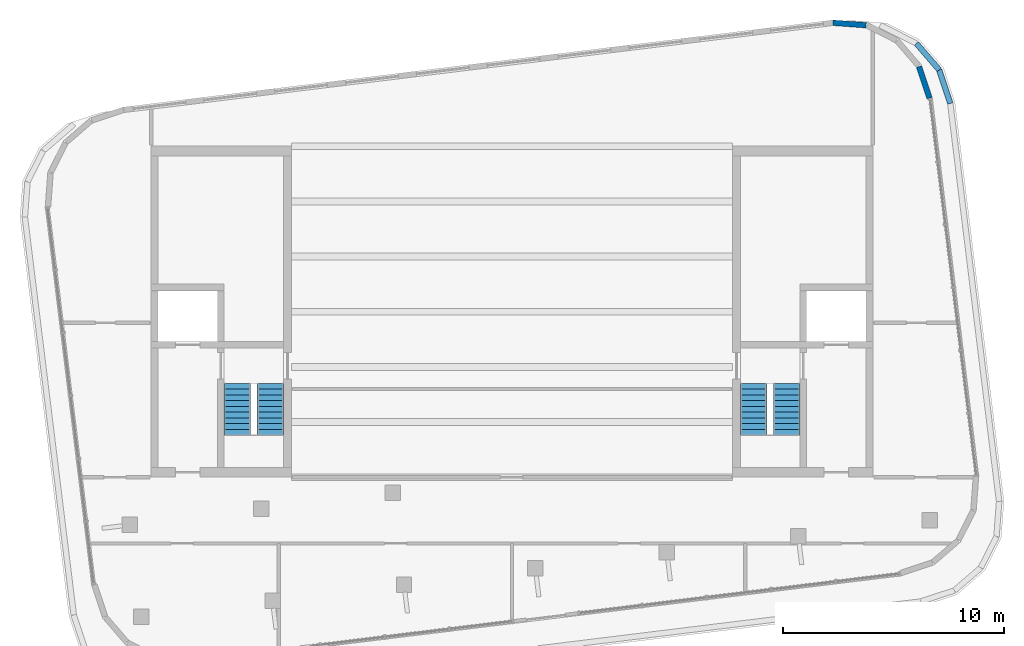
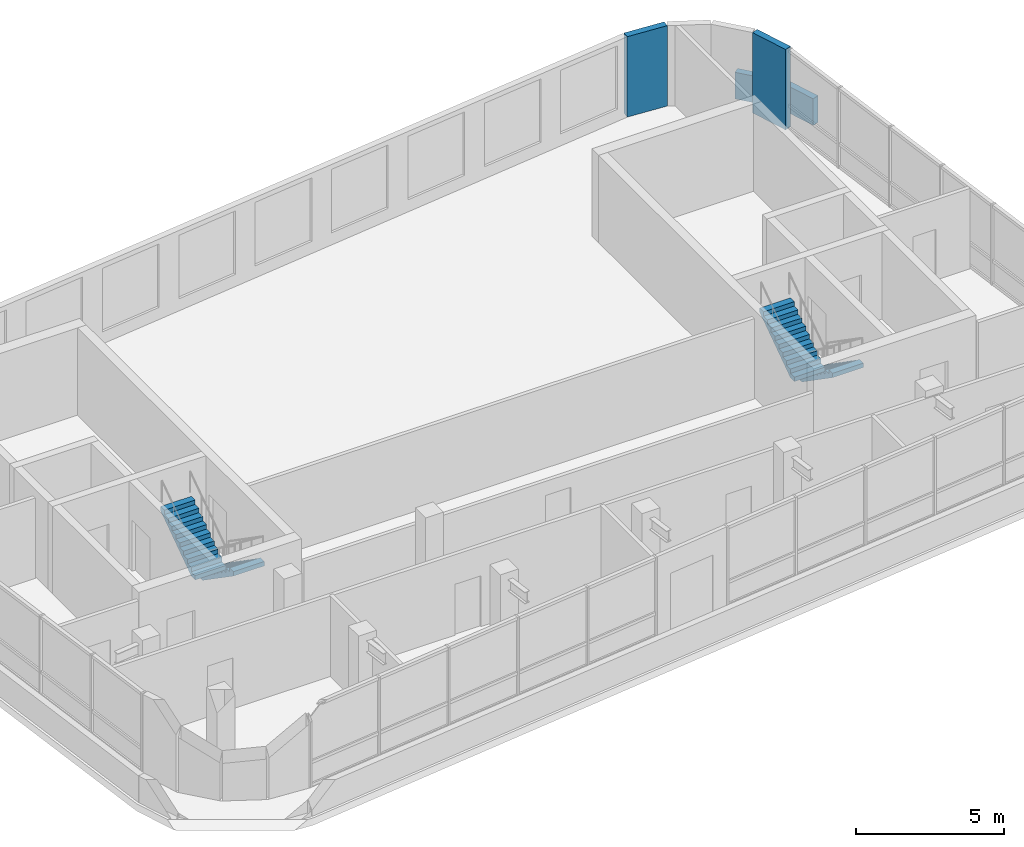
# One storey, part 7 of 8: 4 stair flights, 4 walls, 2 elements without a shape of their own.
"""IFC4 building model written with IfcOpenShell, lengths in metres."""

from ifc_helpers import new_model, si_unit, direction, frame, frame_2d, origin, place, context, subcontext, project, spatial, polyline, rectangle, outline, extrude, material, layer, layer_set, type_object, element, aggregate, save


model = new_model("IFC4")

# Units and contexts
model_context = context("Model", 3, precision=1e-05, world=origin(), true_north=direction((0.0, 1.0)))
body_context = subcontext(model_context, "Body", "Model", "MODEL_VIEW")
ifc_project = project(units=[si_unit("LENGTHUNIT", "METRE"), si_unit("AREAUNIT", "SQUARE_METRE"), si_unit("VOLUMEUNIT", "CUBIC_METRE"), si_unit("PLANEANGLEUNIT", "RADIAN"), si_unit("MASSUNIT", "GRAM", prefix="KILO")], contexts=[model_context])

# Site, building, storey
site_placement = place(None, origin())
site = spatial("IfcSite", under=ifc_project, at=site_placement, CompositionType="ELEMENT")
building_placement = place(site_placement, origin())
building = spatial("IfcBuilding", under=site, at=building_placement, Name="Torana Hotel and Residences", CompositionType="ELEMENT")
storey_placement = place(building_placement, frame((0.0, 0.0, 350.199951171875)))
storey = spatial("IfcBuildingStorey", under=building, at=storey_placement, Name="C2", CompositionType="ELEMENT", Elevation=350.199951171875)

# Walls
ifc_material_1 = material(Name="Aluminium louvre wall", Category="aluminium")
ifc_layer_1 = layer(ifc_material_1, 0.25)
ifc_layer_set_1 = layer_set([ifc_layer_1], Name="EW3 LOUVRE WALL 250")
wall_type_1 = type_object("IfcWallType", Name="EW3 LOUVRE WALL 250", PredefinedType="SOLIDWALL", material=ifc_layer_set_1)
wall_1_placement = place(storey_placement, frame((18.919677734375, 2.177490234375, 0.0), z_axis=(0.0, 0.0, 1.0), x_axis=(-0.313162570297, 0.949699533834, 0.0)))
element("IfcWall", 1, at=wall_1_placement, inside=storey, type_object=wall_type_1, Name="Louvre wall C2 e0.0", PredefinedType="SOLIDWALL", context=body_context, shape_type="SweptSolid", body=[
    extrude(rectangle(XDim=1.506103515625, YDim=0.25, at=frame_2d((0.7529296875, 0.0))), origin(), (0.0, 0.0, 1.0), 3.320068359375),
])
wall_2_placement = place(storey_placement, frame((16.0498046875, 5.481689453125, 0.0), z_axis=(0.0, 0.0, 1.0), x_axis=(-0.997251362315, 0.074092647143, 0.0)))
element("IfcWall", 2, at=wall_2_placement, inside=storey, type_object=wall_type_1, Name="Louvre wall C2 e0.3", PredefinedType="SOLIDWALL", context=body_context, shape_type="SweptSolid", body=[
    extrude(rectangle(XDim=1.505859375, YDim=0.25, at=frame_2d((0.7529296875, 0.0))), origin(), (0.0, 0.0, 1.0), 3.320068359375),
])
ifc_material_2 = material(Name="Aluminium coping with drip", Category="aluminium")
ifc_layer_2 = layer(ifc_material_2, 0.0029296875, Name="Coping flashing", Category="flashing")
ifc_material_3 = material(Name="Concrete C40/50 precast", Category="concrete")
ifc_layer_3 = layer(ifc_material_3, 0.00390625, Name="Cladding", Category="cladding")
ifc_material_4 = material(Name="Concrete C40/50", Category="concrete")
ifc_layer_4 = layer(ifc_material_4, 0.199951171875, Name="Wall", Category="structure")
ifc_material_5 = material(Name="Mineral wool insulation")
ifc_layer_5 = layer(ifc_material_5, 0.0400390625, Name="Insulation", Category="insulation")
ifc_material_6 = material(Name="Waterproofing upstand")
ifc_layer_6 = layer(ifc_material_6, 0.0029296875, Name="Upstand membrane", Category="membrane")
ifc_layer_set_2 = layer_set([ifc_layer_2, ifc_layer_3, ifc_layer_4, ifc_layer_5, ifc_layer_6], Name="PP1 PARAPET 250")
wall_type_2 = type_object("IfcWallType", Name="PP1 PARAPET 250", PredefinedType="PARAPET", material=ifc_layer_set_2)
wall_3_placement = place(storey_placement, frame((18.329345703125, 4.654541015625, 0.0), z_axis=(0.0, 0.0, 1.0), x_axis=(0.652801907611, -0.75752865914, 0.0)))
element("IfcWall", 3, at=wall_3_placement, inside=storey, type_object=wall_type_2, Name="Roof parapet C2 2", PredefinedType="PARAPET", context=body_context, shape_type="SweptSolid", body=[
    extrude(rectangle(XDim=1.578125, YDim=0.25, at=frame_2d((0.7890625, 0.0))), origin(), (0.0, 0.0, 1.0), 1.10009765625),
])
wall_4_placement = place(storey_placement, frame((19.359619140625, 3.458984375, 0.0), z_axis=(0.0, 0.0, 1.0), x_axis=(0.313067872961, -0.949730754962, 0.0)))
element("IfcWall", 4, at=wall_4_placement, inside=storey, type_object=wall_type_2, Name="Roof parapet C2 3", PredefinedType="PARAPET", context=body_context, shape_type="SweptSolid", body=[
    extrude(rectangle(XDim=1.60009765625, YDim=0.25, at=frame_2d((0.800048828125, 0.0))), origin(), (0.0, 0.0, 1.0), 1.10009765625),
])

# Stair, stair flights
ifc_material_7 = material(Name="Concrete C40/50 precast", Category="concrete")
stair_type_1 = type_object("IfcStairType", Name="STAIR ST1 HALF TURN 1200", PredefinedType="HALF_TURN_STAIR", material=ifc_material_7)
stair_1_placement = place(storey_placement, origin())
stair_1 = element("IfcStair", 5, at=stair_1_placement, inside=storey, type_object=stair_type_1, Name="Stair ST1 C2", PredefinedType="HALF_TURN_STAIR")
ifc_material_8 = material(Name="Concrete C40/50 precast", Category="concrete")
stair_flight_type = type_object("IfcStairFlightType", Name="STAIR FLIGHT 1200 PRECAST", PredefinedType="STRAIGHT", material=ifc_material_8)
stair_flight_1_placement = place(storey_placement, frame((-10.949951171875, -10.75, 0.0), z_axis=(0.0, 0.0, 1.0), x_axis=(0.0, -1.0, 0.0)))
stair_flight_1 = element("IfcStairFlight", 6, at=stair_flight_1_placement, type_object=stair_flight_type, Name="ST1 flight 1", NumberOfRisers=10, NumberOfTreads=9, PredefinedType="STRAIGHT", RiserHeight=0.18, TreadLength=0.26, context=body_context, shape_type="SweptSolid", body=[
    extrude(outline(polyline([(0.0, 0.0), (0.0, 0.179931640625), (0.260009765625, 0.179931640625), (0.260009765625, 0.360107421875), (0.52001953125, 0.360107421875), (0.52001953125, 0.5400390625), (0.780029296875, 0.5400390625), (0.780029296875, 0.719970703125), (1.0400390625, 0.719970703125), (1.0400390625, 0.89990234375), (1.300048828125, 0.89990234375), (1.300048828125, 1.080078125), (1.56005859375, 1.080078125), (1.56005859375, 1.260009765625), (1.820068359375, 1.260009765625), (1.820068359375, 1.43994140625), (2.080078125, 1.43994140625), (2.080078125, 1.6201171875), (2.340087890625, 1.6201171875), (2.340087890625, 1.800048828125), (2.340087890625, 1.437744140625), (0.263427734375, 0.0), (0.0, 0.0)])), frame((0.0, 0.60009765625, 0.0), z_axis=(0.0, -1.0, 0.0), x_axis=(1.0, 0.0, 0.0)), (0.0, 0.0, 1.0), 1.199951171875),
])
stair_flight_2_placement = place(storey_placement, frame((-12.449951171875, -13.090087890625, 1.800048828125), z_axis=(0.0, 0.0, 1.0), x_axis=(0.0, 1.0, 0.0)))
stair_flight_2 = element("IfcStairFlight", 7, at=stair_flight_2_placement, type_object=stair_flight_type, Name="ST1 flight 2", NumberOfRisers=10, NumberOfTreads=9, PredefinedType="STRAIGHT", RiserHeight=0.18, TreadLength=0.26, context=body_context, shape_type="SweptSolid", body=[
    extrude(outline(polyline([(0.0, 0.0), (0.0, 0.179931640625), (0.260009765625, 0.179931640625), (0.260009765625, 0.360107421875), (0.52001953125, 0.360107421875), (0.52001953125, 0.5400390625), (0.780029296875, 0.5400390625), (0.780029296875, 0.719970703125), (1.0400390625, 0.719970703125), (1.0400390625, 0.89990234375), (1.300048828125, 0.89990234375), (1.300048828125, 1.080078125), (1.56005859375, 1.080078125), (1.56005859375, 1.260009765625), (1.820068359375, 1.260009765625), (1.820068359375, 1.43994140625), (2.080078125, 1.43994140625), (2.080078125, 1.6201171875), (2.340087890625, 1.6201171875), (2.340087890625, 1.800048828125), (2.340087890625, 1.437744140625), (0.263427734375, 0.0), (0.0, 0.0)])), frame((0.0, 0.60009765625, 0.0), z_axis=(0.0, -1.0, 0.0), x_axis=(1.0, 0.0, 0.0)), (0.0, 0.0, 1.0), 1.199951171875),
])
aggregate(stair_1, [stair_flight_1, stair_flight_2])

ifc_material_9 = material(Name="Concrete C40/50 precast", Category="concrete")
stair_type_2 = type_object("IfcStairType", Name="STAIR ST3 HALF TURN 1200", PredefinedType="HALF_TURN_STAIR", material=ifc_material_9)
stair_2_placement = place(storey_placement, origin())
stair_2 = element("IfcStair", 8, at=stair_2_placement, inside=storey, type_object=stair_type_2, Name="Stair ST3 C2", PredefinedType="HALF_TURN_STAIR")
stair_flight_3_placement = place(storey_placement, frame((12.449951171875, -10.75, 0.0), z_axis=(0.0, 0.0, 1.0), x_axis=(0.0, -1.0, 0.0)))
stair_flight_3 = element("IfcStairFlight", 9, at=stair_flight_3_placement, type_object=stair_flight_type, Name="ST3 flight 1", NumberOfRisers=10, NumberOfTreads=9, PredefinedType="STRAIGHT", RiserHeight=0.18, TreadLength=0.26, context=body_context, shape_type="SweptSolid", body=[
    extrude(outline(polyline([(0.0, 0.0), (0.0, 0.179931640625), (0.260009765625, 0.179931640625), (0.260009765625, 0.360107421875), (0.52001953125, 0.360107421875), (0.52001953125, 0.5400390625), (0.780029296875, 0.5400390625), (0.780029296875, 0.719970703125), (1.0400390625, 0.719970703125), (1.0400390625, 0.89990234375), (1.300048828125, 0.89990234375), (1.300048828125, 1.080078125), (1.56005859375, 1.080078125), (1.56005859375, 1.260009765625), (1.820068359375, 1.260009765625), (1.820068359375, 1.43994140625), (2.080078125, 1.43994140625), (2.080078125, 1.6201171875), (2.340087890625, 1.6201171875), (2.340087890625, 1.800048828125), (2.340087890625, 1.437744140625), (0.263427734375, 0.0), (0.0, 0.0)])), frame((0.0, 0.60009765625, 0.0), z_axis=(0.0, -1.0, 0.0), x_axis=(1.0, 0.0, 0.0)), (0.0, 0.0, 1.0), 1.199951171875),
])
stair_flight_4_placement = place(storey_placement, frame((10.949951171875, -13.090087890625, 1.800048828125), z_axis=(0.0, 0.0, 1.0), x_axis=(0.0, 1.0, 0.0)))
stair_flight_4 = element("IfcStairFlight", 10, at=stair_flight_4_placement, type_object=stair_flight_type, Name="ST3 flight 2", NumberOfRisers=10, NumberOfTreads=9, PredefinedType="STRAIGHT", RiserHeight=0.18, TreadLength=0.26, context=body_context, shape_type="SweptSolid", body=[
    extrude(outline(polyline([(0.0, 0.0), (0.0, 0.179931640625), (0.260009765625, 0.179931640625), (0.260009765625, 0.360107421875), (0.52001953125, 0.360107421875), (0.52001953125, 0.5400390625), (0.780029296875, 0.5400390625), (0.780029296875, 0.719970703125), (1.0400390625, 0.719970703125), (1.0400390625, 0.89990234375), (1.300048828125, 0.89990234375), (1.300048828125, 1.080078125), (1.56005859375, 1.080078125), (1.56005859375, 1.260009765625), (1.820068359375, 1.260009765625), (1.820068359375, 1.43994140625), (2.080078125, 1.43994140625), (2.080078125, 1.6201171875), (2.340087890625, 1.6201171875), (2.340087890625, 1.800048828125), (2.340087890625, 1.437744140625), (0.263427734375, 0.0), (0.0, 0.0)])), frame((0.0, 0.60009765625, 0.0), z_axis=(0.0, -1.0, 0.0), x_axis=(1.0, 0.0, 0.0)), (0.0, 0.0, 1.0), 1.199951171875),
])
aggregate(stair_2, [stair_flight_3, stair_flight_4])

save(model, "model.ifc")
